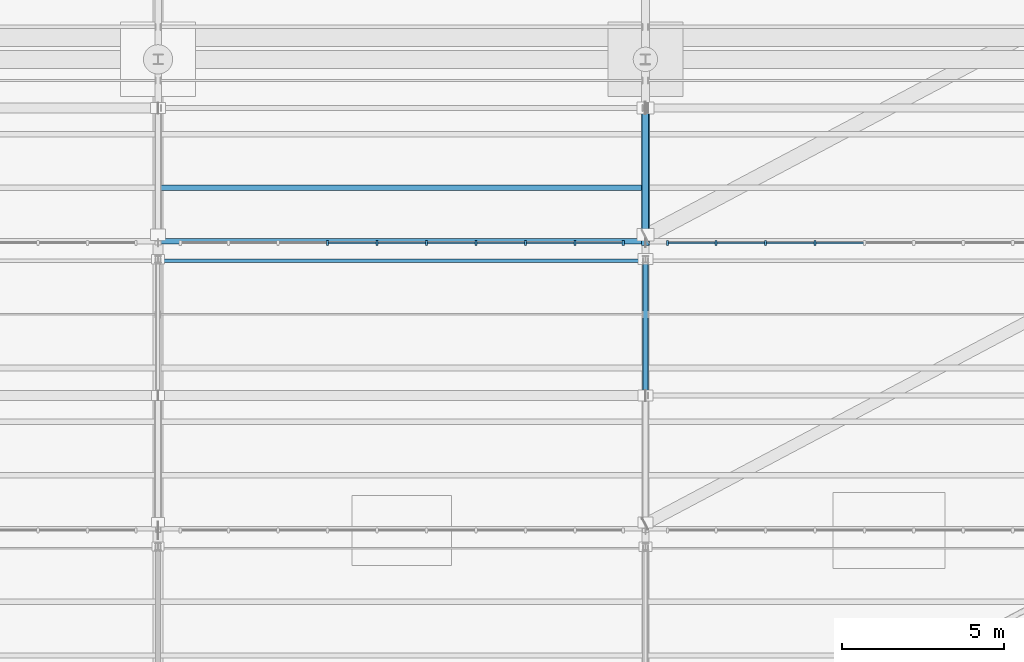
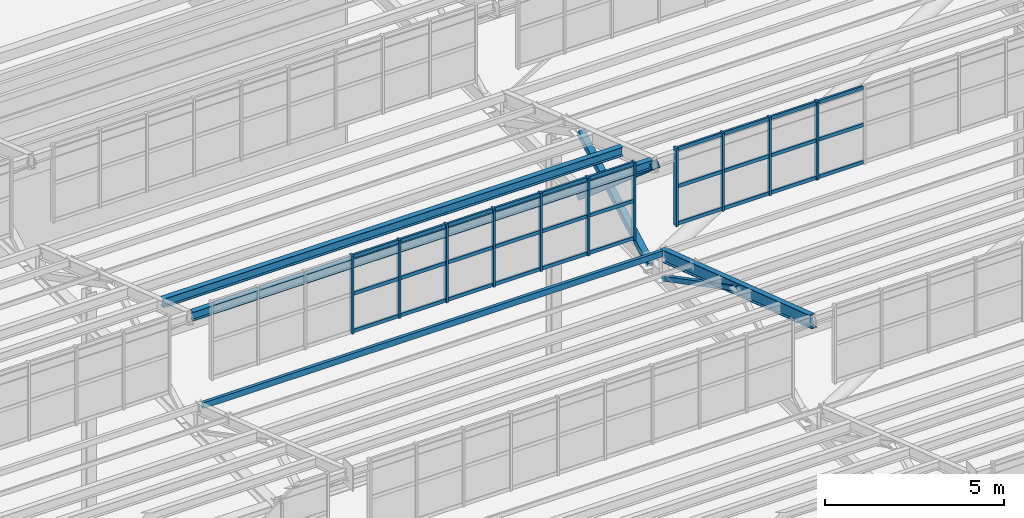
# One storey, part 96 of 285: 44 members, 4 beams, 2 elements without a shape of their own.
"""IFC4 building model written with IfcOpenShell, lengths in metres."""

import ifcopenshell
import ifcopenshell.guid

model = None  # the IFC model being written
_history = None  # IfcOwnerHistory: only IFC2X3 demands one
_inside = {}  # id of a spatial element -> (the spatial element, [elements in it])
_under = {}  # id of a project, library or spatial element -> (it, [spatial elements below it])
_declared = {}  # id of a project -> (the project, [libraries it declares])
_typed = {}  # id of a type object -> (the type object, [elements of that type])
_made_of = {}  # id of a material, layer set ... -> (it, [elements and type objects made of it])


def new_model(schema):
    """Start an empty IFC model of exactly this schema.

    Asked for "IFC4X3", IfcOpenShell would pick the latest addendum, in which some entities
    have other attributes; the version numbers below select the first issue.
    IFC2X3 requires an IfcOwnerHistory on every rooted entity: one is made here for all.
    """
    global model, _history
    if schema == "IFC4X3":
        model = ifcopenshell.file(schema_version=(4, 3, 0, 0))
    else:
        model = ifcopenshell.file(schema=schema)
    _inside.clear()
    _under.clear()
    _declared.clear()
    _typed.clear()
    _made_of.clear()
    _history = None
    if model.schema == "IFC2X3":
        org = make("IfcOrganization", Name="unknown")
        user = make(
            "IfcPersonAndOrganization",
            ThePerson=make("IfcPerson", FamilyName="unknown"),
            TheOrganization=org,
        )
        app = make(
            "IfcApplication",
            ApplicationDeveloper=org,
            Version="unknown",
            ApplicationFullName="unknown",
            ApplicationIdentifier="unknown",
        )
        _history = make(
            "IfcOwnerHistory",
            OwningUser=user,
            OwningApplication=app,
            ChangeAction="ADDED",
            CreationDate=0,
        )
    return model


def make(cls, **values):
    """One entity of the class cls with the attributes given. An attribute that is None is left unset."""
    return model.create_entity(
        cls, **{name: value for name, value in values.items() if value is not None}
    )


def rooted(cls, **values):
    """An entity with a GlobalId (a new one), such as an element, a storey or a relation."""
    return make(cls, GlobalId=ifcopenshell.guid.new(), OwnerHistory=_history, **values)


def si_unit(unit_type, name, prefix=None):
    """IfcSIUnit, for example si_unit("LENGTHUNIT", "METRE", prefix="MILLI")."""
    return make("IfcSIUnit", UnitType=unit_type, Prefix=prefix, Name=name)


def assignment(units):
    """IfcUnitAssignment: the units of a project."""
    return None if units is None else make("IfcUnitAssignment", Units=units)


def point(xyz):
    """IfcCartesianPoint."""
    return None if xyz is None else make("IfcCartesianPoint", Coordinates=xyz)


def direction(xyz):
    """IfcDirection."""
    return None if xyz is None else make("IfcDirection", DirectionRatios=xyz)


def frame(location, z_axis=None, x_axis=None):
    """IfcAxis2Placement3D, a coordinate frame: its origin and axes. An axis left out is left unset."""
    return make(
        "IfcAxis2Placement3D",
        Location=point(location),
        Axis=direction(z_axis),
        RefDirection=direction(x_axis),
    )


def frame_2d(location, x_axis=None):
    """IfcAxis2Placement2D, a coordinate frame in the plane: its origin and x axis."""
    return make(
        "IfcAxis2Placement2D", Location=point(location), RefDirection=direction(x_axis)
    )


def origin():
    """The frame at (0, 0, 0) with its axes left unset."""
    return frame((0.0, 0.0, 0.0))


def origin_2d():
    """The frame at (0, 0) in the plane with its x axis left unset."""
    return frame_2d((0.0, 0.0))


def place(relative_to, where):
    """IfcLocalPlacement: puts the frame where relative to a parent placement (None: the world)."""
    return make(
        "IfcLocalPlacement", PlacementRelTo=relative_to, RelativePlacement=where
    )


def context(
    kind, dimensions, precision=None, world=None, true_north=None, identifier=None
):
    """IfcGeometricRepresentationContext, for example the 3D "Model" context."""
    return make(
        "IfcGeometricRepresentationContext",
        ContextIdentifier=identifier,
        ContextType=kind,
        CoordinateSpaceDimension=dimensions,
        Precision=precision,
        WorldCoordinateSystem=world,
        TrueNorth=true_north,
    )


def subcontext(parent, identifier, kind, view, scale=None):
    """IfcGeometricRepresentationSubContext, for example "Body" below "Model"."""
    return make(
        "IfcGeometricRepresentationSubContext",
        ContextIdentifier=identifier,
        ContextType=kind,
        ParentContext=parent,
        TargetScale=scale,
        TargetView=view,
    )


def project(units=None, contexts=None):
    """IfcProject with its units and contexts."""
    return rooted(
        "IfcProject",
        Name="project",
        RepresentationContexts=contexts,
        UnitsInContext=assignment(units),
    )


def spatial(cls, under=None, at=None, **own):
    """A site, building, storey or space (cls), placed at a placement, below another one or the project."""
    s = rooted(cls, ObjectPlacement=at, **own)
    if under is not None:
        _under.setdefault(under.id(), (under, []))[1].append(s)
    return s


def profile(cls, at=None, kind="AREA", **sizes):
    """A parametric profile (cls). Its sizes go by their IFC names, for example OverallWidth=200.0."""
    return make(cls, ProfileType=kind, Position=at, **sizes)


def rectangle(**sizes):
    """IfcRectangleProfileDef."""
    return profile("IfcRectangleProfileDef", **sizes)


def hollow_rectangle(**sizes):
    """IfcRectangleHollowProfileDef."""
    return profile("IfcRectangleHollowProfileDef", **sizes)


def i_section(**sizes):
    """IfcIShapeProfileDef."""
    return profile("IfcIShapeProfileDef", **sizes)


def extrude(swept, where, along, depth):
    """IfcExtrudedAreaSolid: the profile swept, set in the frame where, extruded along a direction by depth."""
    return make(
        "IfcExtrudedAreaSolid",
        SweptArea=swept,
        Position=where,
        ExtrudedDirection=direction(along),
        Depth=depth,
    )


def shape(context_of_items, identifier, shape_type, items):
    """IfcShapeRepresentation: the items that make up one representation, for example the "Body"."""
    return make(
        "IfcShapeRepresentation",
        ContextOfItems=context_of_items,
        RepresentationIdentifier=identifier,
        RepresentationType=shape_type,
        Items=items,
    )


def material(Name=None, Category=None):
    """IfcMaterial."""
    return make("IfcMaterial", Name=Name, Category=Category)


def material_profile(
    of_material, cross_section, Name=None, Category=None, Priority=None
):
    """IfcMaterialProfile: a cross section and its material."""
    return make(
        "IfcMaterialProfile",
        Name=Name,
        Material=of_material,
        Profile=cross_section,
        Priority=Priority,
        Category=Category,
    )


def profile_set(profiles, Name=None, composite=None):
    """IfcMaterialProfileSet."""
    return make(
        "IfcMaterialProfileSet",
        Name=Name,
        MaterialProfiles=profiles,
        CompositeProfile=composite,
    )


def made_of(thing, what):
    """Note that an element or type object is made of a material, layer set ...; save() writes the relation."""
    if what is not None:
        _made_of.setdefault(what.id(), (what, []))[1].append(thing)
    return thing


def type_object(cls, material=None, **own):
    """A type object (cls), such as IfcWallType, which elements share."""
    return made_of(rooted(cls, **own), material)


def element(
    cls,
    number,
    at=None,
    inside=None,
    cuts=None,
    type_object=None,
    material=None,
    context=None,
    identifier="Body",
    shape_type=None,
    held_by="IfcProductDefinitionShape",
    body=None,
    shapes=None,
    **own,
):
    """One element of the class cls, such as IfcWall. Its Tag is "e" and its number.

    at: its placement. inside: the storey or other place that contains it. cuts: it is an
    opening in that element (IfcRelVoidsElement). A single representation is given by context,
    identifier, shape_type and body (its items); several are given by shapes. held_by: the class
    of the entity that holds the representations. save() writes the other relations.
    """
    e = rooted(cls, Tag="e%d" % number, ObjectPlacement=at, **own)
    if body is not None:
        shapes = [shape(context, identifier, shape_type, body)]
    if shapes is not None:
        e.Representation = make(held_by, Representations=shapes)
    if inside is not None:
        _inside.setdefault(inside.id(), (inside, []))[1].append(e)
    if cuts is not None:
        rooted(
            "IfcRelVoidsElement", RelatingBuildingElement=cuts, RelatedOpeningElement=e
        )
    if type_object is not None:
        _typed.setdefault(type_object.id(), (type_object, []))[1].append(e)
    return made_of(e, material)


def aggregate(whole, parts):
    """IfcRelAggregates: a whole, such as a stair, and the parts it consists of."""
    return rooted("IfcRelAggregates", RelatingObject=whole, RelatedObjects=parts)


def save(model, path):
    """Write the relations noted so far, then the file.

    IfcRelAggregates (storeys below a building ...), IfcRelContainedInSpatialStructure (elements
    in a storey), IfcRelDefinesByType, IfcRelAssociatesMaterial and IfcRelDeclares: one each for
    every whole, place, type object, material and project.
    """
    for whole, parts in _under.values():
        aggregate(whole, parts)
    for where, things in _inside.values():
        rooted(
            "IfcRelContainedInSpatialStructure",
            RelatedElements=things,
            RelatingStructure=where,
        )
    for kind, things in _typed.values():
        rooted("IfcRelDefinesByType", RelatedObjects=things, RelatingType=kind)
    for what, things in _made_of.values():
        rooted("IfcRelAssociatesMaterial", RelatedObjects=things, RelatingMaterial=what)
    for by, libraries in _declared.values():
        rooted("IfcRelDeclares", RelatingContext=by, RelatedDefinitions=libraries)
    model.write(path)


model = new_model("IFC4")

# Units and contexts
model_context = context("Model", 3, precision=1e-05, world=origin(), true_north=direction((0.0, 1.0)))
body_context = subcontext(model_context, "Body", "Model", "MODEL_VIEW")
ifc_project = project(units=[si_unit("LENGTHUNIT", "METRE"), si_unit("AREAUNIT", "SQUARE_METRE"), si_unit("VOLUMEUNIT", "CUBIC_METRE"), si_unit("PLANEANGLEUNIT", "RADIAN"), si_unit("MASSUNIT", "GRAM", prefix="KILO")], contexts=[model_context])

# Site, building, storey
site_placement = place(None, origin())
site = spatial("IfcSite", under=ifc_project, at=site_placement, CompositionType="ELEMENT")
building_placement = place(site_placement, origin())
building = spatial("IfcBuilding", under=site, at=building_placement, Name="Solanera Park Tramway Depot", CompositionType="ELEMENT")
storey_placement = place(building_placement, origin())
storey = spatial("IfcBuildingStorey", under=building, at=storey_placement, Name="L00", CompositionType="ELEMENT", Elevation=0.0)

# Curtain wall, members
ifc_material_1 = material(Name="Bronze-anodised thermally broken aluminium curtain wall", Category="aluminium")
curtain_wall_type = type_object("IfcCurtainWallType", Name="Sawtooth Clerestory Monitor Curtain Wall", PredefinedType="NOTDEFINED", material=ifc_material_1)
curtain_wall_1_placement = place(storey_placement, origin())
curtain_wall_1 = element("IfcCurtainWall", 1, at=curtain_wall_1_placement, inside=storey, type_object=curtain_wall_type, Name="L00 Sawtooth Clerestory Monitor Curtain Wall #048", PredefinedType="NOTDEFINED")
ifc_material_2 = material(Name="Bronze-anodised structural aluminium 6063-T6", Category="aluminium")
ifc_material_profile_1 = material_profile(ifc_material_2, rectangle(XDim=0.06494140625, YDim=0.14990234375, at=origin_2d()), Name="Curtain Wall Mullion 65x150")
ifc_profile_set_1 = profile_set([ifc_material_profile_1], Name="Bronze-anodised structural aluminium 6063-T6")
member_type_1 = type_object("IfcMemberType", Name="Curtain Wall Mullion 65x150", PredefinedType="MULLION", material=ifc_profile_set_1)
member_1_placement = place(storey_placement, frame((80.216796875, 108.85009765625, 7.75), z_axis=(0.0, 0.0, 1.0), x_axis=(1.0, 0.0, 0.0)))
member_1 = element("IfcMember", 2, at=member_1_placement, type_object=member_type_1, Name="CW-L00-048 Mullion 4", PredefinedType="MULLION", context=body_context, shape_type="SweptSolid", body=[
    extrude(rectangle(XDim=0.06494140625, YDim=0.14990234375, at=origin_2d()), origin(), (0.0, 0.0, 1.0), 2.6611328125),
])
member_2_placement = place(storey_placement, frame((81.739013671875, 108.85009765625, 7.75), z_axis=(0.0, 0.0, 1.0), x_axis=(1.0, 0.0, 0.0)))
member_2 = element("IfcMember", 3, at=member_2_placement, type_object=member_type_1, Name="CW-L00-048 Mullion 5", PredefinedType="MULLION", context=body_context, shape_type="SweptSolid", body=[
    extrude(rectangle(XDim=0.06494140625, YDim=0.14990234375, at=origin_2d()), origin(), (0.0, 0.0, 1.0), 2.6611328125),
])
member_3_placement = place(storey_placement, frame((83.260986328125, 108.85009765625, 7.75), z_axis=(0.0, 0.0, 1.0), x_axis=(1.0, 0.0, 0.0)))
member_3 = element("IfcMember", 4, at=member_3_placement, type_object=member_type_1, Name="CW-L00-048 Mullion 6", PredefinedType="MULLION", context=body_context, shape_type="SweptSolid", body=[
    extrude(rectangle(XDim=0.06494140625, YDim=0.14990234375, at=origin_2d()), origin(), (0.0, 0.0, 1.0), 2.6611328125),
])
member_4_placement = place(storey_placement, frame((84.783203125, 108.85009765625, 7.75), z_axis=(0.0, 0.0, 1.0), x_axis=(1.0, 0.0, 0.0)))
member_4 = element("IfcMember", 5, at=member_4_placement, type_object=member_type_1, Name="CW-L00-048 Mullion 7", PredefinedType="MULLION", context=body_context, shape_type="SweptSolid", body=[
    extrude(rectangle(XDim=0.06494140625, YDim=0.14990234375, at=origin_2d()), origin(), (0.0, 0.0, 1.0), 2.6611328125),
])
member_5_placement = place(storey_placement, frame((86.3056640625, 108.85009765625, 7.75), z_axis=(0.0, 0.0, 1.0), x_axis=(1.0, 0.0, 0.0)))
member_5 = element("IfcMember", 6, at=member_5_placement, type_object=member_type_1, Name="CW-L00-048 Mullion 8", PredefinedType="MULLION", context=body_context, shape_type="SweptSolid", body=[
    extrude(rectangle(XDim=0.06494140625, YDim=0.14990234375, at=origin_2d()), origin(), (0.0, 0.0, 1.0), 2.6611328125),
])
member_6_placement = place(storey_placement, frame((87.827880859375, 108.85009765625, 7.75), z_axis=(0.0, 0.0, 1.0), x_axis=(1.0, 0.0, 0.0)))
member_6 = element("IfcMember", 7, at=member_6_placement, type_object=member_type_1, Name="CW-L00-048 Mullion 9", PredefinedType="MULLION", context=body_context, shape_type="SweptSolid", body=[
    extrude(rectangle(XDim=0.06494140625, YDim=0.14990234375, at=origin_2d()), origin(), (0.0, 0.0, 1.0), 2.6611328125),
])
member_7_placement = place(storey_placement, frame((89.3173828125, 108.85009765625, 7.75), z_axis=(0.0, 0.0, 1.0), x_axis=(1.0, 0.0, 0.0)))
member_7 = element("IfcMember", 8, at=member_7_placement, type_object=member_type_1, Name="CW-L00-048 Mullion 10", PredefinedType="MULLION", context=body_context, shape_type="SweptSolid", body=[
    extrude(rectangle(XDim=0.06494140625, YDim=0.14990234375, at=origin_2d()), origin(), (0.0, 0.0, 1.0), 2.6611328125),
])

curtain_wall_2_placement = place(storey_placement, origin())
curtain_wall_2 = element("IfcCurtainWall", 9, at=curtain_wall_2_placement, inside=storey, type_object=curtain_wall_type, Name="L00 Sawtooth Clerestory Monitor Curtain Wall #049", PredefinedType="NOTDEFINED")
member_8_placement = place(storey_placement, frame((90.6826171875, 108.85009765625, 7.75), z_axis=(0.0, 0.0, 1.0), x_axis=(1.0, 0.0, 0.0)))
member_8 = element("IfcMember", 10, at=member_8_placement, type_object=member_type_1, Name="CW-L00-049 Mullion 1", PredefinedType="MULLION", context=body_context, shape_type="SweptSolid", body=[
    extrude(rectangle(XDim=0.06494140625, YDim=0.14990234375, at=origin_2d()), origin(), (0.0, 0.0, 1.0), 2.6611328125),
])
member_9_placement = place(storey_placement, frame((92.172119140625, 108.85009765625, 7.75), z_axis=(0.0, 0.0, 1.0), x_axis=(1.0, 0.0, 0.0)))
member_9 = element("IfcMember", 11, at=member_9_placement, type_object=member_type_1, Name="CW-L00-049 Mullion 2", PredefinedType="MULLION", context=body_context, shape_type="SweptSolid", body=[
    extrude(rectangle(XDim=0.06494140625, YDim=0.14990234375, at=origin_2d()), origin(), (0.0, 0.0, 1.0), 2.6611328125),
])
member_10_placement = place(storey_placement, frame((93.6943359375, 108.85009765625, 7.75), z_axis=(0.0, 0.0, 1.0), x_axis=(1.0, 0.0, 0.0)))
member_10 = element("IfcMember", 12, at=member_10_placement, type_object=member_type_1, Name="CW-L00-049 Mullion 3", PredefinedType="MULLION", context=body_context, shape_type="SweptSolid", body=[
    extrude(rectangle(XDim=0.06494140625, YDim=0.14990234375, at=origin_2d()), origin(), (0.0, 0.0, 1.0), 2.6611328125),
])
member_11_placement = place(storey_placement, frame((95.216796875, 108.85009765625, 7.75), z_axis=(0.0, 0.0, 1.0), x_axis=(1.0, 0.0, 0.0)))
member_11 = element("IfcMember", 13, at=member_11_placement, type_object=member_type_1, Name="CW-L00-049 Mullion 4", PredefinedType="MULLION", context=body_context, shape_type="SweptSolid", body=[
    extrude(rectangle(XDim=0.06494140625, YDim=0.14990234375, at=origin_2d()), origin(), (0.0, 0.0, 1.0), 2.6611328125),
])

# Member
ifc_material_3 = material(Name="Bronze-anodised structural aluminium 6063-T6", Category="aluminium")
ifc_material_profile_2 = material_profile(ifc_material_3, rectangle(XDim=0.06494140625, YDim=0.1201171875, at=origin_2d()), Name="Curtain Wall Transom 65x120")
ifc_profile_set_2 = profile_set([ifc_material_profile_2], Name="Bronze-anodised structural aluminium 6063-T6")
member_type_2 = type_object("IfcMemberType", Name="Curtain Wall Transom 65x120", PredefinedType="USERDEFINED", material=ifc_profile_set_2)
member_12_placement = place(storey_placement, frame((80.24462890625, 108.85009765625, 7.81005859375), z_axis=(1.0, 0.0, 0.0), x_axis=(0.0, 1.0, 0.0)))
member_12 = element("IfcMember", 14, at=member_12_placement, type_object=member_type_2, Name="CW-L00-048 Transom R1.C4", ObjectType="TRANSOM", PredefinedType="USERDEFINED", context=body_context, shape_type="SweptSolid", body=[
    extrude(rectangle(XDim=0.06494140625, YDim=0.1201171875, at=origin_2d()), origin(), (0.0, 0.0, 1.0), 1.46630859375),
])

member_13_placement = place(storey_placement, frame((81.766845703125, 108.85009765625, 7.81005859375), z_axis=(1.0, 0.0, 0.0), x_axis=(0.0, 1.0, 0.0)))
member_13 = element("IfcMember", 15, at=member_13_placement, type_object=member_type_2, Name="CW-L00-048 Transom R1.C5", ObjectType="TRANSOM", PredefinedType="USERDEFINED", context=body_context, shape_type="SweptSolid", body=[
    extrude(rectangle(XDim=0.06494140625, YDim=0.1201171875, at=origin_2d()), origin(), (0.0, 0.0, 1.0), 1.46630859375),
])

member_14_placement = place(storey_placement, frame((83.2890625, 108.85009765625, 7.81005859375), z_axis=(1.0, 0.0, 0.0), x_axis=(0.0, 1.0, 0.0)))
member_14 = element("IfcMember", 16, at=member_14_placement, type_object=member_type_2, Name="CW-L00-048 Transom R1.C6", ObjectType="TRANSOM", PredefinedType="USERDEFINED", context=body_context, shape_type="SweptSolid", body=[
    extrude(rectangle(XDim=0.06494140625, YDim=0.1201171875, at=origin_2d()), origin(), (0.0, 0.0, 1.0), 1.46630859375),
])

member_15_placement = place(storey_placement, frame((84.811279296875, 108.85009765625, 7.81005859375), z_axis=(1.0, 0.0, 0.0), x_axis=(0.0, 1.0, 0.0)))
member_15 = element("IfcMember", 17, at=member_15_placement, type_object=member_type_2, Name="CW-L00-048 Transom R1.C7", ObjectType="TRANSOM", PredefinedType="USERDEFINED", context=body_context, shape_type="SweptSolid", body=[
    extrude(rectangle(XDim=0.06494140625, YDim=0.1201171875, at=origin_2d()), origin(), (0.0, 0.0, 1.0), 1.46630859375),
])

member_16_placement = place(storey_placement, frame((86.33349609375, 108.85009765625, 7.81005859375), z_axis=(1.0, 0.0, 0.0), x_axis=(0.0, 1.0, 0.0)))
member_16 = element("IfcMember", 18, at=member_16_placement, type_object=member_type_2, Name="CW-L00-048 Transom R1.C8", ObjectType="TRANSOM", PredefinedType="USERDEFINED", context=body_context, shape_type="SweptSolid", body=[
    extrude(rectangle(XDim=0.06494140625, YDim=0.1201171875, at=origin_2d()), origin(), (0.0, 0.0, 1.0), 1.46630859375),
])

member_17_placement = place(storey_placement, frame((87.855712890625, 108.85009765625, 7.81005859375), z_axis=(1.0, 0.0, 0.0), x_axis=(0.0, 1.0, 0.0)))
member_17 = element("IfcMember", 19, at=member_17_placement, type_object=member_type_2, Name="CW-L00-048 Transom R1.C9", ObjectType="TRANSOM", PredefinedType="USERDEFINED", context=body_context, shape_type="SweptSolid", body=[
    extrude(rectangle(XDim=0.06494140625, YDim=0.1201171875, at=origin_2d()), origin(), (0.0, 0.0, 1.0), 1.433837890625),
])

member_18_placement = place(storey_placement, frame((80.24462890625, 108.85009765625, 9.08056640625), z_axis=(1.0, 0.0, 0.0), x_axis=(0.0, 1.0, 0.0)))
member_18 = element("IfcMember", 20, at=member_18_placement, type_object=member_type_2, Name="CW-L00-048 Transom R2.C4", ObjectType="TRANSOM", PredefinedType="USERDEFINED", context=body_context, shape_type="SweptSolid", body=[
    extrude(rectangle(XDim=0.06494140625, YDim=0.1201171875, at=origin_2d()), origin(), (0.0, 0.0, 1.0), 1.46630859375),
])

member_19_placement = place(storey_placement, frame((81.766845703125, 108.85009765625, 9.08056640625), z_axis=(1.0, 0.0, 0.0), x_axis=(0.0, 1.0, 0.0)))
member_19 = element("IfcMember", 21, at=member_19_placement, type_object=member_type_2, Name="CW-L00-048 Transom R2.C5", ObjectType="TRANSOM", PredefinedType="USERDEFINED", context=body_context, shape_type="SweptSolid", body=[
    extrude(rectangle(XDim=0.06494140625, YDim=0.1201171875, at=origin_2d()), origin(), (0.0, 0.0, 1.0), 1.46630859375),
])

member_20_placement = place(storey_placement, frame((83.2890625, 108.85009765625, 9.08056640625), z_axis=(1.0, 0.0, 0.0), x_axis=(0.0, 1.0, 0.0)))
member_20 = element("IfcMember", 22, at=member_20_placement, type_object=member_type_2, Name="CW-L00-048 Transom R2.C6", ObjectType="TRANSOM", PredefinedType="USERDEFINED", context=body_context, shape_type="SweptSolid", body=[
    extrude(rectangle(XDim=0.06494140625, YDim=0.1201171875, at=origin_2d()), origin(), (0.0, 0.0, 1.0), 1.46630859375),
])

member_21_placement = place(storey_placement, frame((84.811279296875, 108.85009765625, 9.08056640625), z_axis=(1.0, 0.0, 0.0), x_axis=(0.0, 1.0, 0.0)))
member_21 = element("IfcMember", 23, at=member_21_placement, type_object=member_type_2, Name="CW-L00-048 Transom R2.C7", ObjectType="TRANSOM", PredefinedType="USERDEFINED", context=body_context, shape_type="SweptSolid", body=[
    extrude(rectangle(XDim=0.06494140625, YDim=0.1201171875, at=origin_2d()), origin(), (0.0, 0.0, 1.0), 1.46630859375),
])

member_22_placement = place(storey_placement, frame((86.33349609375, 108.85009765625, 9.08056640625), z_axis=(1.0, 0.0, 0.0), x_axis=(0.0, 1.0, 0.0)))
member_22 = element("IfcMember", 24, at=member_22_placement, type_object=member_type_2, Name="CW-L00-048 Transom R2.C8", ObjectType="TRANSOM", PredefinedType="USERDEFINED", context=body_context, shape_type="SweptSolid", body=[
    extrude(rectangle(XDim=0.06494140625, YDim=0.1201171875, at=origin_2d()), origin(), (0.0, 0.0, 1.0), 1.46630859375),
])

member_23_placement = place(storey_placement, frame((87.855712890625, 108.85009765625, 9.08056640625), z_axis=(1.0, 0.0, 0.0), x_axis=(0.0, 1.0, 0.0)))
member_23 = element("IfcMember", 25, at=member_23_placement, type_object=member_type_2, Name="CW-L00-048 Transom R2.C9", ObjectType="TRANSOM", PredefinedType="USERDEFINED", context=body_context, shape_type="SweptSolid", body=[
    extrude(rectangle(XDim=0.06494140625, YDim=0.1201171875, at=origin_2d()), origin(), (0.0, 0.0, 1.0), 1.433837890625),
])

member_24_placement = place(storey_placement, frame((80.24462890625, 108.85009765625, 10.351318359375), z_axis=(1.0, 0.0, 0.0), x_axis=(0.0, 1.0, 0.0)))
member_24 = element("IfcMember", 26, at=member_24_placement, type_object=member_type_2, Name="CW-L00-048 Transom R3.C4", ObjectType="TRANSOM", PredefinedType="USERDEFINED", context=body_context, shape_type="SweptSolid", body=[
    extrude(rectangle(XDim=0.06494140625, YDim=0.1201171875, at=origin_2d()), origin(), (0.0, 0.0, 1.0), 1.46630859375),
])

member_25_placement = place(storey_placement, frame((81.766845703125, 108.85009765625, 10.351318359375), z_axis=(1.0, 0.0, 0.0), x_axis=(0.0, 1.0, 0.0)))
member_25 = element("IfcMember", 27, at=member_25_placement, type_object=member_type_2, Name="CW-L00-048 Transom R3.C5", ObjectType="TRANSOM", PredefinedType="USERDEFINED", context=body_context, shape_type="SweptSolid", body=[
    extrude(rectangle(XDim=0.06494140625, YDim=0.1201171875, at=origin_2d()), origin(), (0.0, 0.0, 1.0), 1.46630859375),
])

member_26_placement = place(storey_placement, frame((83.2890625, 108.85009765625, 10.351318359375), z_axis=(1.0, 0.0, 0.0), x_axis=(0.0, 1.0, 0.0)))
member_26 = element("IfcMember", 28, at=member_26_placement, type_object=member_type_2, Name="CW-L00-048 Transom R3.C6", ObjectType="TRANSOM", PredefinedType="USERDEFINED", context=body_context, shape_type="SweptSolid", body=[
    extrude(rectangle(XDim=0.06494140625, YDim=0.1201171875, at=origin_2d()), origin(), (0.0, 0.0, 1.0), 1.46630859375),
])

member_27_placement = place(storey_placement, frame((84.811279296875, 108.85009765625, 10.351318359375), z_axis=(1.0, 0.0, 0.0), x_axis=(0.0, 1.0, 0.0)))
member_27 = element("IfcMember", 29, at=member_27_placement, type_object=member_type_2, Name="CW-L00-048 Transom R3.C7", ObjectType="TRANSOM", PredefinedType="USERDEFINED", context=body_context, shape_type="SweptSolid", body=[
    extrude(rectangle(XDim=0.06494140625, YDim=0.1201171875, at=origin_2d()), origin(), (0.0, 0.0, 1.0), 1.46630859375),
])

member_28_placement = place(storey_placement, frame((86.33349609375, 108.85009765625, 10.351318359375), z_axis=(1.0, 0.0, 0.0), x_axis=(0.0, 1.0, 0.0)))
member_28 = element("IfcMember", 30, at=member_28_placement, type_object=member_type_2, Name="CW-L00-048 Transom R3.C8", ObjectType="TRANSOM", PredefinedType="USERDEFINED", context=body_context, shape_type="SweptSolid", body=[
    extrude(rectangle(XDim=0.06494140625, YDim=0.1201171875, at=origin_2d()), origin(), (0.0, 0.0, 1.0), 1.46630859375),
])

member_29_placement = place(storey_placement, frame((87.855712890625, 108.85009765625, 10.351318359375), z_axis=(1.0, 0.0, 0.0), x_axis=(0.0, 1.0, 0.0)))
member_29 = element("IfcMember", 31, at=member_29_placement, type_object=member_type_2, Name="CW-L00-048 Transom R3.C9", ObjectType="TRANSOM", PredefinedType="USERDEFINED", context=body_context, shape_type="SweptSolid", body=[
    extrude(rectangle(XDim=0.06494140625, YDim=0.1201171875, at=origin_2d()), origin(), (0.0, 0.0, 1.0), 1.433837890625),
])

aggregate(curtain_wall_1, [member_1, member_2, member_3, member_4, member_5, member_6, member_7, member_12, member_13, member_14, member_15, member_16, member_17, member_18, member_19, member_20, member_21, member_22, member_23, member_24, member_25, member_26, member_27, member_28, member_29])

member_30_placement = place(storey_placement, frame((90.71044921875, 108.85009765625, 7.81005859375), z_axis=(1.0, 0.0, 0.0), x_axis=(0.0, 1.0, 0.0)))
member_30 = element("IfcMember", 32, at=member_30_placement, type_object=member_type_2, Name="CW-L00-049 Transom R1.C1", ObjectType="TRANSOM", PredefinedType="USERDEFINED", context=body_context, shape_type="SweptSolid", body=[
    extrude(rectangle(XDim=0.06494140625, YDim=0.1201171875, at=origin_2d()), origin(), (0.0, 0.0, 1.0), 1.433837890625),
])

member_31_placement = place(storey_placement, frame((92.2001953125, 108.85009765625, 7.81005859375), z_axis=(1.0, 0.0, 0.0), x_axis=(0.0, 1.0, 0.0)))
member_31 = element("IfcMember", 33, at=member_31_placement, type_object=member_type_2, Name="CW-L00-049 Transom R1.C2", ObjectType="TRANSOM", PredefinedType="USERDEFINED", context=body_context, shape_type="SweptSolid", body=[
    extrude(rectangle(XDim=0.06494140625, YDim=0.1201171875, at=origin_2d()), origin(), (0.0, 0.0, 1.0), 1.46630859375),
])

member_32_placement = place(storey_placement, frame((93.722412109375, 108.85009765625, 7.81005859375), z_axis=(1.0, 0.0, 0.0), x_axis=(0.0, 1.0, 0.0)))
member_32 = element("IfcMember", 34, at=member_32_placement, type_object=member_type_2, Name="CW-L00-049 Transom R1.C3", ObjectType="TRANSOM", PredefinedType="USERDEFINED", context=body_context, shape_type="SweptSolid", body=[
    extrude(rectangle(XDim=0.06494140625, YDim=0.1201171875, at=origin_2d()), origin(), (0.0, 0.0, 1.0), 1.46630859375),
])

member_33_placement = place(storey_placement, frame((95.24462890625, 108.85009765625, 7.81005859375), z_axis=(1.0, 0.0, 0.0), x_axis=(0.0, 1.0, 0.0)))
member_33 = element("IfcMember", 35, at=member_33_placement, type_object=member_type_2, Name="CW-L00-049 Transom R1.C4", ObjectType="TRANSOM", PredefinedType="USERDEFINED", context=body_context, shape_type="SweptSolid", body=[
    extrude(rectangle(XDim=0.06494140625, YDim=0.1201171875, at=origin_2d()), origin(), (0.0, 0.0, 1.0), 1.46630859375),
])

member_34_placement = place(storey_placement, frame((90.71044921875, 108.85009765625, 9.08056640625), z_axis=(1.0, 0.0, 0.0), x_axis=(0.0, 1.0, 0.0)))
member_34 = element("IfcMember", 36, at=member_34_placement, type_object=member_type_2, Name="CW-L00-049 Transom R2.C1", ObjectType="TRANSOM", PredefinedType="USERDEFINED", context=body_context, shape_type="SweptSolid", body=[
    extrude(rectangle(XDim=0.06494140625, YDim=0.1201171875, at=origin_2d()), origin(), (0.0, 0.0, 1.0), 1.433837890625),
])

member_35_placement = place(storey_placement, frame((92.2001953125, 108.85009765625, 9.08056640625), z_axis=(1.0, 0.0, 0.0), x_axis=(0.0, 1.0, 0.0)))
member_35 = element("IfcMember", 37, at=member_35_placement, type_object=member_type_2, Name="CW-L00-049 Transom R2.C2", ObjectType="TRANSOM", PredefinedType="USERDEFINED", context=body_context, shape_type="SweptSolid", body=[
    extrude(rectangle(XDim=0.06494140625, YDim=0.1201171875, at=origin_2d()), origin(), (0.0, 0.0, 1.0), 1.46630859375),
])

member_36_placement = place(storey_placement, frame((93.722412109375, 108.85009765625, 9.08056640625), z_axis=(1.0, 0.0, 0.0), x_axis=(0.0, 1.0, 0.0)))
member_36 = element("IfcMember", 38, at=member_36_placement, type_object=member_type_2, Name="CW-L00-049 Transom R2.C3", ObjectType="TRANSOM", PredefinedType="USERDEFINED", context=body_context, shape_type="SweptSolid", body=[
    extrude(rectangle(XDim=0.06494140625, YDim=0.1201171875, at=origin_2d()), origin(), (0.0, 0.0, 1.0), 1.46630859375),
])

member_37_placement = place(storey_placement, frame((95.24462890625, 108.85009765625, 9.08056640625), z_axis=(1.0, 0.0, 0.0), x_axis=(0.0, 1.0, 0.0)))
member_37 = element("IfcMember", 39, at=member_37_placement, type_object=member_type_2, Name="CW-L00-049 Transom R2.C4", ObjectType="TRANSOM", PredefinedType="USERDEFINED", context=body_context, shape_type="SweptSolid", body=[
    extrude(rectangle(XDim=0.06494140625, YDim=0.1201171875, at=origin_2d()), origin(), (0.0, 0.0, 1.0), 1.46630859375),
])

member_38_placement = place(storey_placement, frame((90.71044921875, 108.85009765625, 10.351318359375), z_axis=(1.0, 0.0, 0.0), x_axis=(0.0, 1.0, 0.0)))
member_38 = element("IfcMember", 40, at=member_38_placement, type_object=member_type_2, Name="CW-L00-049 Transom R3.C1", ObjectType="TRANSOM", PredefinedType="USERDEFINED", context=body_context, shape_type="SweptSolid", body=[
    extrude(rectangle(XDim=0.06494140625, YDim=0.1201171875, at=origin_2d()), origin(), (0.0, 0.0, 1.0), 1.433837890625),
])

member_39_placement = place(storey_placement, frame((92.2001953125, 108.85009765625, 10.351318359375), z_axis=(1.0, 0.0, 0.0), x_axis=(0.0, 1.0, 0.0)))
member_39 = element("IfcMember", 41, at=member_39_placement, type_object=member_type_2, Name="CW-L00-049 Transom R3.C2", ObjectType="TRANSOM", PredefinedType="USERDEFINED", context=body_context, shape_type="SweptSolid", body=[
    extrude(rectangle(XDim=0.06494140625, YDim=0.1201171875, at=origin_2d()), origin(), (0.0, 0.0, 1.0), 1.46630859375),
])

member_40_placement = place(storey_placement, frame((93.722412109375, 108.85009765625, 10.351318359375), z_axis=(1.0, 0.0, 0.0), x_axis=(0.0, 1.0, 0.0)))
member_40 = element("IfcMember", 42, at=member_40_placement, type_object=member_type_2, Name="CW-L00-049 Transom R3.C3", ObjectType="TRANSOM", PredefinedType="USERDEFINED", context=body_context, shape_type="SweptSolid", body=[
    extrude(rectangle(XDim=0.06494140625, YDim=0.1201171875, at=origin_2d()), origin(), (0.0, 0.0, 1.0), 1.46630859375),
])

member_41_placement = place(storey_placement, frame((95.24462890625, 108.85009765625, 10.351318359375), z_axis=(1.0, 0.0, 0.0), x_axis=(0.0, 1.0, 0.0)))
member_41 = element("IfcMember", 43, at=member_41_placement, type_object=member_type_2, Name="CW-L00-049 Transom R3.C4", ObjectType="TRANSOM", PredefinedType="USERDEFINED", context=body_context, shape_type="SweptSolid", body=[
    extrude(rectangle(XDim=0.06494140625, YDim=0.1201171875, at=origin_2d()), origin(), (0.0, 0.0, 1.0), 1.46630859375),
])

aggregate(curtain_wall_2, [member_8, member_9, member_10, member_11, member_30, member_31, member_32, member_33, member_34, member_35, member_36, member_37, member_38, member_39, member_40, member_41])

ifc_material_4 = material(Name="Steel AS/NZS 1163 Grade C350L0", Category="steel")
ifc_material_profile_3 = material_profile(ifc_material_4, hollow_rectangle(XDim=0.199951171875, YDim=0.199951171875, WallThickness=0.008056640625, at=origin_2d()), Name="200x200x8.0 SHS")
ifc_profile_set_3 = profile_set([ifc_material_profile_3], Name="Steel AS/NZS 1163 Grade C350L0")
member_type_3 = type_object("IfcMemberType", Name="Roof Gantry Compression Strut 200x200x8.0 SHS", PredefinedType="STRUT", material=ifc_profile_set_3)
member_42_placement = place(storey_placement, frame((90.0, 109.10009765625, 6.5), z_axis=(0.0, 0.874074669389, 0.485791593517), x_axis=(-1.0, 0.0, 0.0)))
element("IfcMember", 44, at=member_42_placement, inside=storey, type_object=member_type_3, Name="Sawtooth ROOF TRUSS Strut 200x200x8.0 SHS #0293", PredefinedType="STRUT", context=body_context, shape_type="SweptSolid", body=[
    extrude(hollow_rectangle(XDim=0.199951171875, YDim=0.199951171875, WallThickness=0.008056640625, at=origin_2d()), origin(), (0.0, 0.0, 1.0), 4.461669921875),
])

# Beams
ifc_material_5 = material(Name="Steel AS/NZS 3679.1 Grade 350", Category="steel")
ifc_material_profile_4 = material_profile(ifc_material_5, i_section(OverallWidth=0.177734375, OverallDepth=0.406494140625, WebThickness=0.0078125, FlangeThickness=0.0126953125, at=origin_2d()), Name="410UB59.7")
ifc_profile_set_4 = profile_set([ifc_material_profile_4], Name="Steel AS/NZS 3679.1 Grade 350")
beam_type_1 = type_object("IfcBeamType", Name="Steel Beam 410UB59.7", PredefinedType="BEAM", material=ifc_profile_set_4)
beam_1_placement = place(storey_placement, frame((90.0, 100.0, 10.08154296875), z_axis=(0.0, 0.948322229475, -0.317308917435), x_axis=(-1.0, 0.0, 0.0)))
element("IfcBeam", 45, at=beam_1_placement, inside=storey, type_object=beam_type_1, Name="Sawtooth ROOF TRUSS Top Rafter 410UB59.7 B06-T7", PredefinedType="BEAM", context=body_context, shape_type="SweptSolid", body=[
    extrude(i_section(OverallWidth=0.177734375, OverallDepth=0.406494140625, WebThickness=0.0078125, FlangeThickness=0.0126953125, at=origin_2d()), origin(), (0.0, 0.0, 1.0), 8.80517578125),
])
ifc_material_6 = material(Name="Steel AS/NZS 1163 Grade C350L0", Category="steel")
ifc_material_profile_5 = material_profile(ifc_material_6, hollow_rectangle(XDim=0.10009765625, YDim=0.199951171875, WallThickness=0.006103515625, at=origin_2d()), Name="200x100x6.0 RHS")
ifc_profile_set_5 = profile_set([ifc_material_profile_5], Name="Steel AS/NZS 1163 Grade C350L0")
beam_type_2 = type_object("IfcBeamType", Name="Steel Joist Purlin 200x100x6.0 RHS", PredefinedType="JOIST", material=ifc_profile_set_5)
beam_2_placement = place(storey_placement, frame((75.077880859375, 108.300048828125, 7.412841796875), z_axis=(1.0, 0.0, 0.0), x_axis=(0.0, 1.0, 0.0)))
element("IfcBeam", 46, at=beam_2_placement, inside=storey, type_object=beam_type_2, Name="Sawtooth Roof Purlin 200x100x6.0 RHS B06.6", PredefinedType="JOIST", context=body_context, shape_type="SweptSolid", body=[
    extrude(hollow_rectangle(XDim=0.10009765625, YDim=0.199951171875, WallThickness=0.006103515625, at=origin_2d()), origin(), (0.0, 0.0, 1.0), 14.84130859375),
])
ifc_material_7 = material(Name="Steel AS/NZS 3679.1 Grade 350", Category="steel")
ifc_material_profile_6 = material_profile(ifc_material_7, i_section(OverallWidth=0.1650390625, OverallDepth=0.3037109375, WebThickness=0.006103515625, FlangeThickness=0.01025390625, at=origin_2d()), Name="310UB40.4")
ifc_profile_set_6 = profile_set([ifc_material_profile_6], Name="Steel AS/NZS 3679.1 Grade 350")
beam_type_3 = type_object("IfcBeamType", Name="Steel Joist Purlin 310UB40.4", PredefinedType="JOIST", material=ifc_profile_set_6)
beam_3_placement = place(storey_placement, frame((75.080810546875, 108.89990234375, 10.110595703125), z_axis=(1.0, 0.0, 0.0), x_axis=(0.0, 1.0, 0.0)))
element("IfcBeam", 47, at=beam_3_placement, inside=storey, type_object=beam_type_3, Name="Sawtooth Roof Purlin 310UB40.4 B07.1", PredefinedType="JOIST", context=body_context, shape_type="SweptSolid", body=[
    extrude(i_section(OverallWidth=0.1650390625, OverallDepth=0.3037109375, WebThickness=0.006103515625, FlangeThickness=0.01025390625, at=origin_2d()), origin(), (0.0, 0.0, 1.0), 14.83203125),
])
ifc_material_8 = material(Name="Steel AS/NZS 3679.1 Grade 350", Category="steel")
ifc_material_profile_7 = material_profile(ifc_material_8, i_section(OverallWidth=0.166015625, OverallDepth=0.30712890625, WebThickness=0.006591796875, FlangeThickness=0.01171875, at=origin_2d()), Name="310UB46.2")
ifc_profile_set_7 = profile_set([ifc_material_profile_7], Name="Steel AS/NZS 3679.1 Grade 350")
beam_type_4 = type_object("IfcBeamType", Name="Steel Joist Purlin 310UB46.2", PredefinedType="JOIST", material=ifc_profile_set_7)
beam_4_placement = place(storey_placement, frame((75.080810546875, 110.550048828125, 9.556640625), z_axis=(1.0, 0.0, 0.0), x_axis=(0.0, 1.0, 0.0)))
element("IfcBeam", 48, at=beam_4_placement, inside=storey, type_object=beam_type_4, Name="Sawtooth Roof Purlin 310UB46.2 B07.2", PredefinedType="JOIST", context=body_context, shape_type="SweptSolid", body=[
    extrude(i_section(OverallWidth=0.166015625, OverallDepth=0.30712890625, WebThickness=0.006591796875, FlangeThickness=0.01171875, at=origin_2d()), origin(), (0.0, 0.0, 1.0), 14.83203125),
])

# Members
ifc_material_9 = material(Name="Steel AS/NZS 1163 Grade C350L0", Category="steel")
ifc_material_profile_8 = material_profile(ifc_material_9, hollow_rectangle(XDim=0.14990234375, YDim=0.14990234375, WallThickness=0.006103515625, at=origin_2d()), Name="150x150x6.0 SHS")
ifc_profile_set_8 = profile_set([ifc_material_profile_8], Name="Steel AS/NZS 1163 Grade C350L0")
member_type_4 = type_object("IfcMemberType", Name="Truss and Frame Brace 150x150x6.0 SHS", PredefinedType="BRACE", material=ifc_profile_set_8)
member_43_placement = place(storey_placement, frame((90.0, 108.35009765625, 6.5), z_axis=(0.0, -0.886436886442, 0.462849485638), x_axis=(1.0, 0.0, 0.0)))
element("IfcMember", 49, at=member_43_placement, inside=storey, type_object=member_type_4, Name="Sawtooth ROOF TRUSS Diagonal 150x150x6.0 SHS #0245", PredefinedType="BRACE", context=body_context, shape_type="SweptSolid", body=[
    extrude(hollow_rectangle(XDim=0.14990234375, YDim=0.14990234375, WallThickness=0.006103515625, at=origin_2d()), origin(), (0.0, 0.0, 1.0), 4.73828125),
])
ifc_material_10 = material(Name="Steel AS/NZS 1163 Grade C350L0", Category="steel")
ifc_material_profile_9 = material_profile(ifc_material_10, hollow_rectangle(XDim=0.25, YDim=0.25, WallThickness=0.010009765625, at=origin_2d()), Name="250x250x10.0 SHS")
ifc_profile_set_9 = profile_set([ifc_material_profile_9], Name="Steel AS/NZS 1163 Grade C350L0")
member_type_5 = type_object("IfcMemberType", Name="Truss and Frame Brace 250x250x10.0 SHS", PredefinedType="BRACE", material=ifc_profile_set_9)
member_44_placement = place(storey_placement, frame((90.0, 113.0, 6.5), z_axis=(0.0, -0.759338583023, 0.650695717162), x_axis=(1.0, 0.0, 0.0)))
element("IfcMember", 50, at=member_44_placement, inside=storey, type_object=member_type_5, Name="Sawtooth ROOF TRUSS Web Brace 250x250x10.0 SHS #0291", PredefinedType="BRACE", context=body_context, shape_type="SweptSolid", body=[
    extrude(hollow_rectangle(XDim=0.25, YDim=0.25, WallThickness=0.010009765625, at=origin_2d()), origin(), (0.0, 0.0, 1.0), 5.465087890625),
])

save(model, "model.ifc")
